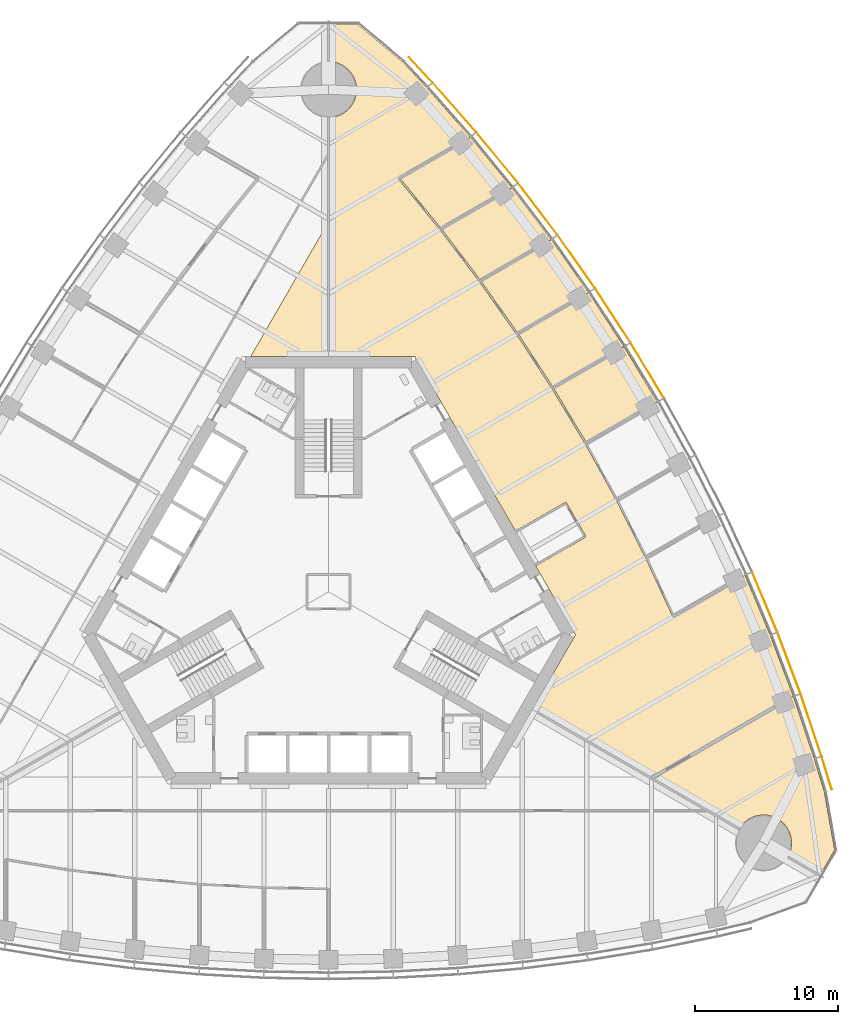
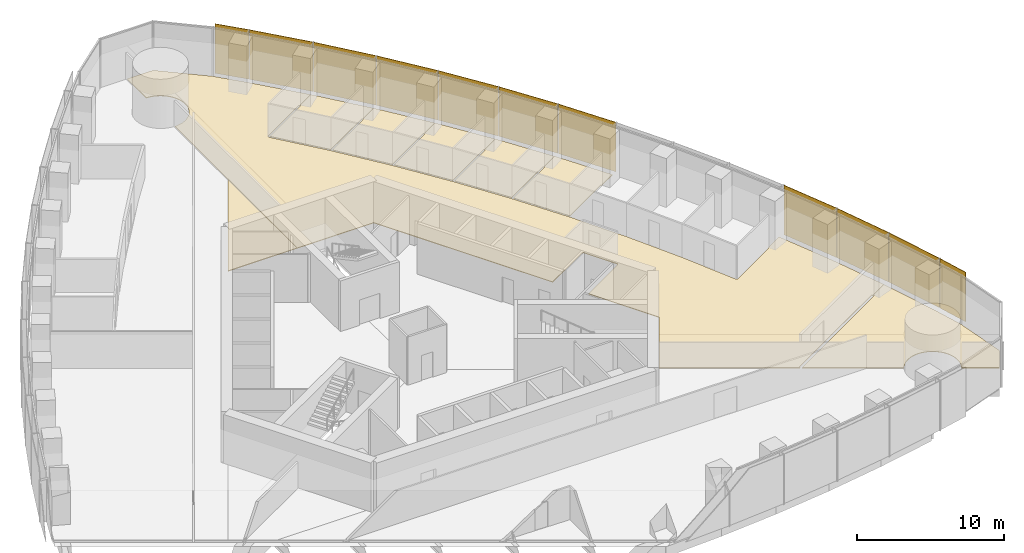
# One storey, part 17 of 19: 11 shading devices, 8 coverings.
"""IFC4 building model written with IfcOpenShell, lengths in metres."""

from ifc_helpers import new_model, si_unit, direction, frame, origin, origin_2d, place, context, subcontext, project, spatial, polyline, rectangle, outline, extrude, material, layer, layer_set, type_object, element, save


model = new_model("IFC4")

# Units and contexts
model_context = context("Model", 3, precision=1e-05, world=origin(), true_north=direction((0.0, 1.0)))
body_context = subcontext(model_context, "Body", "Model", "MODEL_VIEW")
ifc_project = project(units=[si_unit("LENGTHUNIT", "METRE"), si_unit("AREAUNIT", "SQUARE_METRE"), si_unit("VOLUMEUNIT", "CUBIC_METRE"), si_unit("PLANEANGLEUNIT", "RADIAN"), si_unit("MASSUNIT", "GRAM", prefix="KILO")], contexts=[model_context])

# Site, building, storey
site_placement = place(None, origin())
site = spatial("IfcSite", under=ifc_project, at=site_placement, CompositionType="ELEMENT")
building_placement = place(site_placement, origin())
building = spatial("IfcBuilding", under=site, at=building_placement, Name="Trefoil Bronze Tower", CompositionType="ELEMENT")
storey_placement = place(building_placement, frame((0.0, 0.0, 136.699951171875)))
storey = spatial("IfcBuildingStorey", under=building, at=storey_placement, Name="L31", CompositionType="ELEMENT", Elevation=136.699951171875)

# Shading devices
ifc_material_1 = material(Name="Perforated bronze sheet", Category="bronze")
ifc_layer_1 = layer(ifc_material_1, 0.0400390625)
ifc_layer_set_1 = layer_set([ifc_layer_1], Name="Bronze solar screen panel")
shading_device_type = type_object("IfcShadingDeviceType", Name="Bronze solar screen panel", PredefinedType="SHUTTER", material=ifc_layer_set_1)
shading_device_1_placement = place(storey_placement, frame((34.717529296875, -12.634765625, 0.050048828125), z_axis=(0.0, 0.0, 1.0), x_axis=(-0.291668676391, 0.956519410787, 0.0)))
element("IfcShadingDevice", 1, at=shading_device_1_placement, inside=storey, type_object=shading_device_type, Name="Solar screen CW-A L31 F2 bay 1", PredefinedType="SHUTTER", context=body_context, shape_type="SweptSolid", body=[
    extrude(rectangle(XDim=2.39013671875, YDim=0.0400390625, at=origin_2d()), origin(), (0.0, 0.0, 1.0), 4.10009765625),
])
shading_device_2_placement = place(storey_placement, frame((33.62890625, -9.286865234375, 0.050048828125), z_axis=(0.0, 0.0, 1.0), x_axis=(-0.318403749569, 0.947955195281, 0.0)))
element("IfcShadingDevice", 2, at=shading_device_2_placement, inside=storey, type_object=shading_device_type, Name="Solar screen CW-A L31 F2 bay 2", PredefinedType="SHUTTER", context=body_context, shape_type="SweptSolid", body=[
    extrude(rectangle(XDim=4.56103515625, YDim=0.0400390625, at=origin_2d()), origin(), (0.0, 0.0, 1.0), 4.10009765625),
])
shading_device_3_placement = place(storey_placement, frame((32.086669921875, -4.95849609375, 0.050048828125), z_axis=(0.0, 0.0, 1.0), x_axis=(-0.352919739707, 0.935653599002, 0.0)))
element("IfcShadingDevice", 3, at=shading_device_3_placement, inside=storey, type_object=shading_device_type, Name="Solar screen CW-A L31 F2 bay 3", PredefinedType="SHUTTER", context=body_context, shape_type="SweptSolid", body=[
    extrude(rectangle(XDim=4.5302734375, YDim=0.0400390625, at=origin_2d()), origin(), (0.0, 0.0, 1.0), 4.10009765625),
])
shading_device_4_placement = place(storey_placement, frame((30.3974609375, -0.715087890625, 0.050048828125), z_axis=(0.0, 0.0, 1.0), x_axis=(-0.386759234303, 0.922180727776, 0.0)))
element("IfcShadingDevice", 4, at=shading_device_4_placement, inside=storey, type_object=shading_device_type, Name="Solar screen CW-A L31 F2 bay 4", PredefinedType="SHUTTER", context=body_context, shape_type="SweptSolid", body=[
    extrude(rectangle(XDim=4.50634765625, YDim=0.0400390625, at=origin_2d()), origin(), (0.0, 0.0, 1.0), 4.10009765625),
])
shading_device_5_placement = place(storey_placement, frame((22.208740234375, 15.431396484375, 0.050048828125), z_axis=(0.0, 0.0, 1.0), x_axis=(-0.515525413486, 0.856874289526, 0.0)))
element("IfcShadingDevice", 5, at=shading_device_5_placement, inside=storey, type_object=shading_device_type, Name="Solar screen CW-A L31 F2 bay 8", PredefinedType="SHUTTER", context=body_context, shape_type="SweptSolid", body=[
    extrude(rectangle(XDim=4.470703125, YDim=0.0400390625, at=origin_2d()), origin(), (0.0, 0.0, 1.0), 4.10009765625),
])
shading_device_6_placement = place(storey_placement, frame((19.8076171875, 19.263916015625, 0.050048828125), z_axis=(0.0, 0.0, 1.0), x_axis=(-0.546088612237, 0.837727418427, 0.0)))
element("IfcShadingDevice", 6, at=shading_device_6_placement, inside=storey, type_object=shading_device_type, Name="Solar screen CW-A L31 F2 bay 9", PredefinedType="SHUTTER", context=body_context, shape_type="SweptSolid", body=[
    extrude(rectangle(XDim=4.4765625, YDim=0.0400390625, at=origin_2d()), origin(), (0.0, 0.0, 1.0), 4.10009765625),
])
shading_device_7_placement = place(storey_placement, frame((17.264892578125, 23.014404296875, 0.050048828125), z_axis=(0.0, 0.0, 1.0), x_axis=(-0.575999283275, 0.817450197667, 0.0)))
element("IfcShadingDevice", 7, at=shading_device_7_placement, inside=storey, type_object=shading_device_type, Name="Solar screen CW-A L31 F2 bay 10", PredefinedType="SHUTTER", context=body_context, shape_type="SweptSolid", body=[
    extrude(rectangle(XDim=4.48828125, YDim=0.0400390625, at=origin_2d()), origin(), (0.0, 0.0, 1.0), 4.10009765625),
])
shading_device_8_placement = place(storey_placement, frame((14.579345703125, 26.6826171875, 0.050048828125), z_axis=(0.0, 0.0, 1.0), x_axis=(-0.605252319983, 0.796033685943, 0.0)))
element("IfcShadingDevice", 8, at=shading_device_8_placement, inside=storey, type_object=shading_device_type, Name="Solar screen CW-A L31 F2 bay 11", PredefinedType="SHUTTER", context=body_context, shape_type="SweptSolid", body=[
    extrude(rectangle(XDim=4.50634765625, YDim=0.0400390625, at=origin_2d()), origin(), (0.0, 0.0, 1.0), 4.10009765625),
])
shading_device_9_placement = place(storey_placement, frame((11.7490234375, 30.26708984375, 0.050048828125), z_axis=(0.0, 0.0, 1.0), x_axis=(-0.633839916024, 0.773464259584, 0.0)))
element("IfcShadingDevice", 9, at=shading_device_9_placement, inside=storey, type_object=shading_device_type, Name="Solar screen CW-A L31 F2 bay 12", PredefinedType="SHUTTER", context=body_context, shape_type="SweptSolid", body=[
    extrude(rectangle(XDim=4.5302734375, YDim=0.0400390625, at=origin_2d()), origin(), (0.0, 0.0, 1.0), 4.10009765625),
])
shading_device_10_placement = place(storey_placement, frame((8.77197265625, 33.766845703125, 0.050048828125), z_axis=(0.0, 0.0, 1.0), x_axis=(-0.661751405978, 0.749723333428, 0.0)))
element("IfcShadingDevice", 10, at=shading_device_10_placement, inside=storey, type_object=shading_device_type, Name="Solar screen CW-A L31 F2 bay 13", PredefinedType="SHUTTER", context=body_context, shape_type="SweptSolid", body=[
    extrude(rectangle(XDim=4.56103515625, YDim=0.0400390625, at=origin_2d()), origin(), (0.0, 0.0, 1.0), 4.10009765625),
])
shading_device_11_placement = place(storey_placement, frame((6.416748046875, 36.383544921875, 0.050048828125), z_axis=(0.0, 0.0, 1.0), x_axis=(-0.682535770759, 0.730852188636, 0.0)))
element("IfcShadingDevice", 11, at=shading_device_11_placement, inside=storey, type_object=shading_device_type, Name="Solar screen CW-A L31 F2 bay 14", PredefinedType="SHUTTER", context=body_context, shape_type="SweptSolid", body=[
    extrude(rectangle(XDim=2.39013671875, YDim=0.0400390625, at=origin_2d()), origin(), (0.0, 0.0, 1.0), 4.10009765625),
])

# Coverings
ifc_material_2 = material(Name="Raised access floor panels", Category="steel")
ifc_layer_2 = layer(ifc_material_2, 0.050048828125)
ifc_layer_set_2 = layer_set([ifc_layer_2], Name="Raised access floor 150")
covering_type = type_object("IfcCoveringType", Name="Raised access floor 150", PredefinedType="FLOORING", material=ifc_layer_set_2)
covering_1_placement = place(storey_placement, frame((0.0, 0.0, 0.10009765625)))
element("IfcCovering", 12, at=covering_1_placement, inside=storey, type_object=covering_type, Name="Raised floor L31 Boardroom F2", PredefinedType="FLOORING", context=body_context, shape_type="SweptSolid", body=[
    extrude(outline(polyline([(22.60986328125, -13.04248046875), (31.13330078125, -8.12158203125), (31.083251953125, -8.034912109375), (32.385986328125, -7.28271484375), (33.847900390625, -11.634765625), (34.5537109375, -13.94970703125), (35.2666015625, -17.99169921875), (34.247802734375, -19.755859375), (32.006103515625, -18.462646484375), (32.030517578125, -18.419189453125), (32.07373046875, -18.333740234375), (32.112548828125, -18.24609375), (32.14697265625, -18.156982421875), (32.177001953125, -18.066162109375), (32.202392578125, -17.973876953125), (32.223388671875, -17.88037109375), (32.23974609375, -17.7861328125), (32.25146484375, -17.691162109375), (32.258544921875, -17.595703125), (32.260986328125, -17.5), (32.258544921875, -17.404296875), (32.25146484375, -17.308837890625), (32.23974609375, -17.2138671875), (32.223388671875, -17.11962890625), (32.202392578125, -17.026123046875), (32.177001953125, -16.933837890625), (32.14697265625, -16.843017578125), (32.112548828125, -16.75390625), (32.07373046875, -16.666259765625), (32.030517578125, -16.580810546875), (31.9833984375, -16.49755859375), (31.932373046875, -16.41650390625), (31.877197265625, -16.33837890625), (31.818359375, -16.262939453125), (31.755615234375, -16.1904296875), (31.689697265625, -16.12109375), (31.620361328125, -16.05517578125), (31.548095703125, -15.99267578125), (31.472412109375, -15.93359375), (31.394287109375, -15.878662109375), (31.3134765625, -15.827392578125), (31.22998046875, -15.7802734375), (31.14453125, -15.7373046875), (31.05712890625, -15.698486328125), (30.9677734375, -15.6640625), (30.876953125, -15.634033203125), (30.78466796875, -15.6083984375), (30.69140625, -15.58740234375), (30.596923828125, -15.571044921875), (30.501953125, -15.559326171875), (30.406494140625, -15.55224609375), (30.310791015625, -15.550048828125), (30.215087890625, -15.55224609375), (30.119873046875, -15.559326171875), (30.02490234375, -15.571044921875), (29.930419921875, -15.58740234375), (29.837158203125, -15.6083984375), (29.744873046875, -15.634033203125), (29.654052734375, -15.6640625), (29.564697265625, -15.698486328125), (29.477294921875, -15.7373046875), (29.3916015625, -15.7802734375), (29.308349609375, -15.827392578125), (29.2275390625, -15.878662109375), (29.1494140625, -15.93359375), (29.07373046875, -15.99267578125), (29.001220703125, -16.05517578125), (28.931884765625, -16.12109375), (28.865966796875, -16.1904296875), (28.803466796875, -16.262939453125), (28.74462890625, -16.33837890625), (28.689453125, -16.41650390625), (28.628662109375, -16.514404296875), (22.60986328125, -13.04248046875)])), origin(), (0.0, 0.0, 1.0), 0.050048828125),
])
covering_2_placement = place(storey_placement, frame((0.0, 0.0, 0.10009765625)))
element("IfcCovering", 13, at=covering_2_placement, inside=storey, type_object=covering_type, Name="Raised floor L31 Office F2", PredefinedType="FLOORING", context=body_context, shape_type="SweptSolid", body=[
    extrude(outline(polyline([(9.885986328125, 31.6884765625), (12.776611328125, 28.1611328125), (11.4814453125, 27.41357421875), (11.451416015625, 27.46533203125), (7.811279296875, 25.36376953125), (4.997802734375, 28.796875), (8.61328125, 30.88427734375), (8.583251953125, 30.936279296875), (9.885986328125, 31.6884765625)])), origin(), (0.0, 0.0, 1.0), 0.050048828125),
])
covering_3_placement = place(storey_placement, frame((0.0, 0.0, 0.10009765625)))
element("IfcCovering", 14, at=covering_3_placement, inside=storey, type_object=covering_type, Name="Raised floor L31 Office F2", PredefinedType="FLOORING", context=body_context, shape_type="SweptSolid", body=[
    extrude(outline(polyline([(12.776611328125, 28.1611328125), (15.522216796875, 24.55029296875), (14.23291015625, 23.805908203125), (14.202880859375, 23.85791015625), (10.558349609375, 21.753662109375), (7.885986328125, 25.268310546875), (11.511474609375, 27.361572265625), (11.4814453125, 27.41357421875), (12.776611328125, 28.1611328125)])), origin(), (0.0, 0.0, 1.0), 0.050048828125),
])
covering_4_placement = place(storey_placement, frame((0.0, 0.0, 0.10009765625)))
element("IfcCovering", 15, at=covering_4_placement, inside=storey, type_object=covering_type, Name="Raised floor L31 Office F2", PredefinedType="FLOORING", context=body_context, shape_type="SweptSolid", body=[
    extrude(outline(polyline([(18.124755859375, 20.856689453125), (16.83984375, 20.11474609375), (16.809814453125, 20.166748046875), (13.16259765625, 18.06103515625), (10.62939453125, 21.656005859375), (14.262939453125, 23.75390625), (14.23291015625, 23.805908203125), (15.522216796875, 24.55029296875), (18.124755859375, 20.856689453125)])), origin(), (0.0, 0.0, 1.0), 0.050048828125),
])
covering_5_placement = place(storey_placement, frame((0.0, 0.0, 0.10009765625)))
element("IfcCovering", 16, at=covering_5_placement, inside=storey, type_object=covering_type, Name="Raised floor L31 Office F2", PredefinedType="FLOORING", context=body_context, shape_type="SweptSolid", body=[
    extrude(outline(polyline([(20.585693359375, 17.081298828125), (19.30322265625, 16.3408203125), (19.273193359375, 16.392822265625), (15.62548828125, 14.286865234375), (13.22998046875, 17.96142578125), (16.869873046875, 20.062744140625), (16.83984375, 20.11474609375), (18.124755859375, 20.856689453125), (20.585693359375, 17.081298828125)])), origin(), (0.0, 0.0, 1.0), 0.050048828125),
])
covering_6_placement = place(storey_placement, frame((0.0, 0.0, 0.10009765625)))
element("IfcCovering", 17, at=covering_6_placement, inside=storey, type_object=covering_type, Name="Raised floor L31 Office F2", PredefinedType="FLOORING", context=body_context, shape_type="SweptSolid", body=[
    extrude(outline(polyline([(20.585693359375, 17.081298828125), (22.906005859375, 13.224853515625), (21.62451171875, 12.48486328125), (21.594482421875, 12.536865234375), (17.947509765625, 10.431396484375), (15.689208984375, 14.18505859375), (19.333251953125, 16.2890625), (19.30322265625, 16.3408203125), (20.585693359375, 17.081298828125)])), origin(), (0.0, 0.0, 1.0), 0.050048828125),
])
covering_7_placement = place(storey_placement, frame((0.0, 0.0, 0.10009765625)))
element("IfcCovering", 18, at=covering_7_placement, inside=storey, type_object=covering_type, Name="Raised floor L31 Open-plan office F2", PredefinedType="FLOORING", context=body_context, shape_type="SweptSolid", body=[
    extrude(outline(polyline([(9.885986328125, 31.6884765625), (8.583251953125, 30.936279296875), (8.55322265625, 30.98828125), (4.87646484375, 28.865478515625), (4.906494140625, 28.8134765625), (4.860107421875, 28.775390625), (7.75, 25.2490234375), (10.494140625, 21.639892578125), (13.095458984375, 17.947998046875), (15.555419921875, 14.174560546875), (17.87451171875, 10.31982421875), (20.05322265625, 6.384033203125), (22.09130859375, 2.3671875), (23.98828125, -1.732666015625), (24.04248046875, -1.70751953125), (24.072509765625, -1.759521484375), (27.762939453125, 0.371337890625), (27.73291015625, 0.423095703125), (29.022216796875, 1.16748046875), (30.776611328125, -3.015625), (32.385986328125, -7.28271484375), (31.083251953125, -8.034912109375), (31.033203125, -7.9482421875), (22.5029296875, -12.873291015625), (22.552978515625, -12.959716796875), (22.509765625, -12.98486328125), (14.205810546875, -8.194580078125), (17.205078125, -3.0), (14.434814453125, 1.79833984375), (17.898681640625, 3.79833984375), (17.868896484375, 3.850341796875), (17.9208984375, 3.88037109375), (16.57080078125, 6.218505859375), (16.518798828125, 6.1884765625), (16.48876953125, 6.240478515625), (13.024658203125, 4.240478515625), (6.00439453125, 16.39990234375), (0.006103515625, 16.39990234375), (0.012451171875, 33.05029296875), (0.095703125, 33.05224609375), (0.191162109375, 33.059326171875), (0.2861328125, 33.071044921875), (0.38037109375, 33.08740234375), (0.473876953125, 33.1083984375), (0.566162109375, 33.134033203125), (0.656982421875, 33.1640625), (0.74609375, 33.198486328125), (0.833740234375, 33.2373046875), (0.919189453125, 33.2802734375), (1.00244140625, 33.327392578125), (1.08349609375, 33.378662109375), (1.16162109375, 33.43359375), (1.237060546875, 33.49267578125), (1.3095703125, 33.55517578125), (1.37890625, 33.62109375), (1.44482421875, 33.6904296875), (1.50732421875, 33.762939453125), (1.56640625, 33.83837890625), (1.621337890625, 33.91650390625), (1.672607421875, 33.99755859375), (1.7197265625, 34.080810546875), (1.7626953125, 34.166259765625), (1.801513671875, 34.25390625), (1.8359375, 34.343017578125), (1.865966796875, 34.433837890625), (1.8916015625, 34.526123046875), (1.91259765625, 34.61962890625), (1.928955078125, 34.7138671875), (1.940673828125, 34.808837890625), (1.94775390625, 34.904296875), (1.949951171875, 35.0), (1.94775390625, 35.095703125), (1.940673828125, 35.191162109375), (1.928955078125, 35.2861328125), (1.91259765625, 35.38037109375), (1.8916015625, 35.473876953125), (1.865966796875, 35.566162109375), (1.8359375, 35.656982421875), (1.801513671875, 35.74609375), (1.7626953125, 35.833740234375), (1.7197265625, 35.919189453125), (1.672607421875, 36.00244140625), (1.621337890625, 36.08349609375), (1.56640625, 36.16162109375), (1.50732421875, 36.237060546875), (1.44482421875, 36.3095703125), (1.37890625, 36.37890625), (1.3095703125, 36.44482421875), (1.237060546875, 36.50732421875), (1.16162109375, 36.56640625), (1.08349609375, 36.621337890625), (1.00244140625, 36.672607421875), (0.919189453125, 36.7197265625), (0.833740234375, 36.7626953125), (0.74609375, 36.801513671875), (0.656982421875, 36.8359375), (0.566162109375, 36.865966796875), (0.473876953125, 36.8916015625), (0.38037109375, 36.91259765625), (0.2861328125, 36.928955078125), (0.191162109375, 36.940673828125), (0.095703125, 36.94775390625), (0.013916015625, 36.94970703125), (0.014892578125, 39.53759765625), (2.052001953125, 39.53759765625), (5.1962890625, 36.8994140625), (6.847900390625, 35.130615234375), (9.885986328125, 31.6884765625)])), origin(), (0.0, 0.0, 1.0), 0.050048828125),
])
covering_8_placement = place(storey_placement, frame((0.0, 0.0, 0.10009765625)))
element("IfcCovering", 19, at=covering_8_placement, inside=storey, type_object=covering_type, Name="Raised floor L31 Open-plan office F3", PredefinedType="FLOORING", context=body_context, shape_type="SweptSolid", body=[
    extrude(outline(polyline([(-0.009765625, 25.783203125), (-0.006103515625, 16.39990234375), (-5.427001953125, 16.39990234375), (-0.009765625, 25.783203125)])), origin(), (0.0, 0.0, 1.0), 0.050048828125),
])

save(model, "model.ifc")
